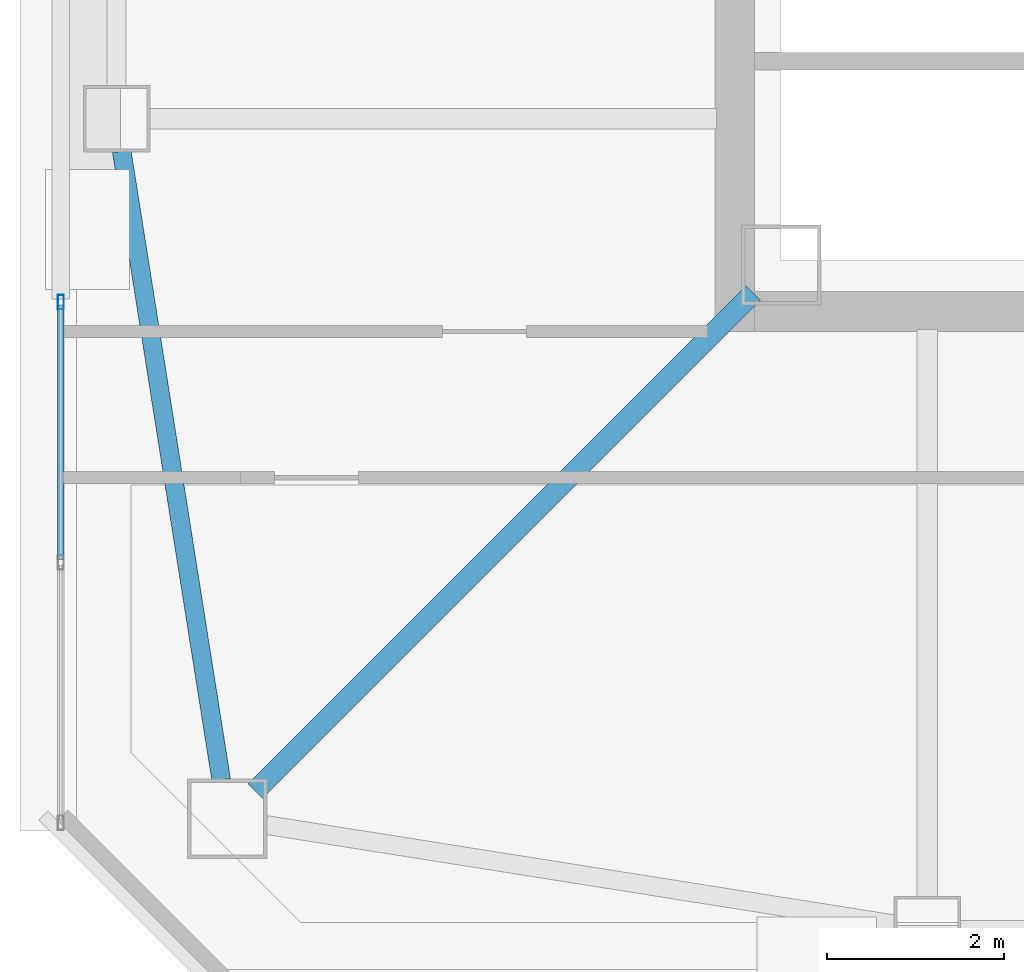
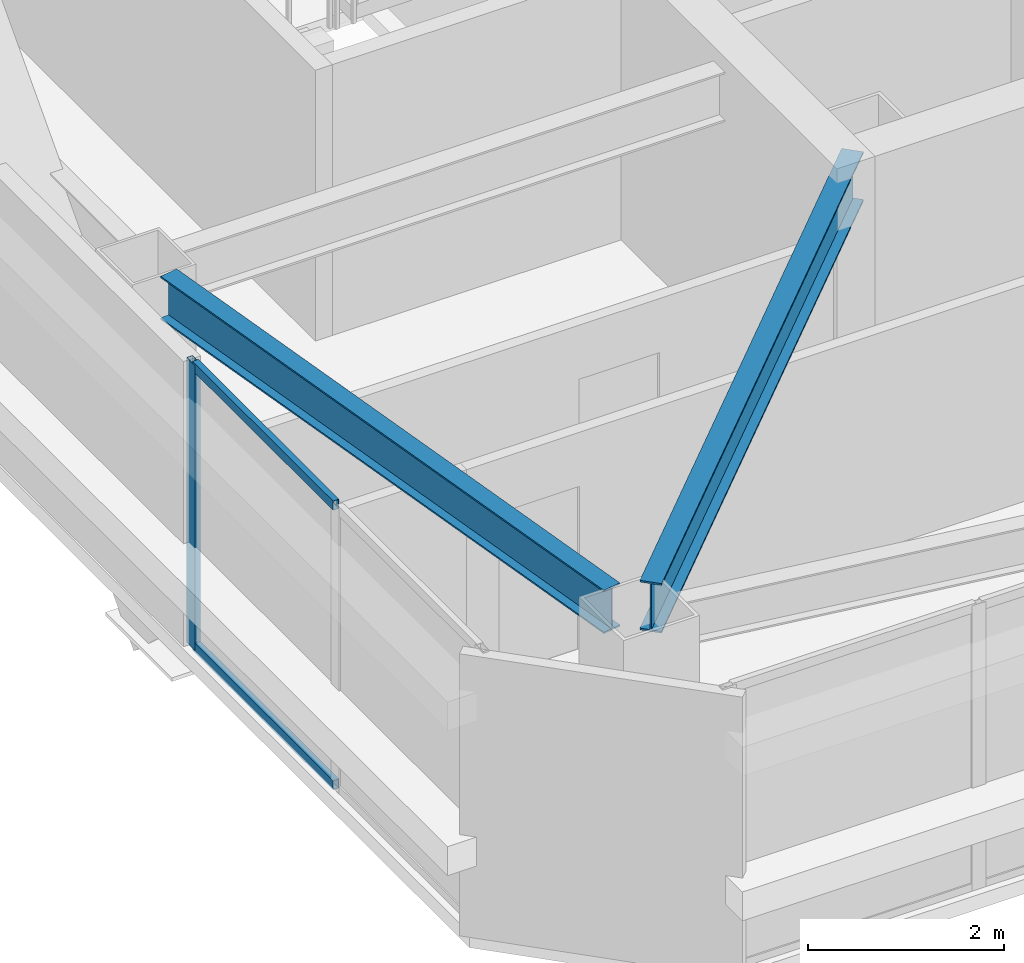
# One storey, part 4 of 24: 3 members, 2 beams, 1 element without a shape of its own.
"""IFC4 building model written with IfcOpenShell, lengths in metres."""

from ifc_helpers import new_model, si_unit, direction, frame, origin, origin_2d, place, context, subcontext, project, spatial, hollow_rectangle, i_section, extrude, material, material_profile, profile_set, type_object, element, aggregate, save


model = new_model("IFC4")

# Units and contexts
model_context = context("Model", 3, precision=1e-05, world=origin(), true_north=direction((0.0, 1.0)))
body_context = subcontext(model_context, "Body", "Model", "MODEL_VIEW")
ifc_project = project(units=[si_unit("LENGTHUNIT", "METRE"), si_unit("AREAUNIT", "SQUARE_METRE"), si_unit("VOLUMEUNIT", "CUBIC_METRE"), si_unit("PLANEANGLEUNIT", "RADIAN"), si_unit("MASSUNIT", "GRAM", prefix="KILO")], contexts=[model_context])

# Site, building, storey
site_placement = place(None, origin())
site = spatial("IfcSite", under=ifc_project, at=site_placement, CompositionType="ELEMENT")
building_placement = place(site_placement, origin())
building = spatial("IfcBuilding", under=site, at=building_placement, Name="Tashvorn Skyway Center", CompositionType="ELEMENT")
storey_placement = place(building_placement, frame((0.0, 0.0, 270.5)))
storey = spatial("IfcBuildingStorey", under=building, at=storey_placement, Name="L73", CompositionType="ELEMENT", Elevation=270.5)

# Beams
ifc_material_1 = material(Name="Steel ASTM A992 Grade 50", Category="steel")
ifc_material_profile_1 = material_profile(ifc_material_1, i_section(OverallWidth=0.22998046875, OverallDepth=0.616943359375, WebThickness=0.01318359375, FlangeThickness=0.022216796875, at=origin_2d()), Name="W24X94")
ifc_profile_set_1 = profile_set([ifc_material_profile_1], Name="Steel ASTM A992 Grade 50")
beam_type_1 = type_object("IfcBeamType", Name="BM-BEAM-W24X94", PredefinedType="BEAM", material=ifc_profile_set_1)
beam_1_placement = place(storey_placement, frame((29.0146484375, 19.0146484375, 3.0615234375), z_axis=(0.707106781187, 0.707106781187, 0.0), x_axis=(-0.707106781187, 0.707106781187, 0.0)))
element("IfcBeam", 1, at=beam_1_placement, inside=storey, type_object=beam_type_1, Name="Tower 1 L73 Primary Floor Girder MC-SW", PredefinedType="BEAM", context=body_context, shape_type="SweptSolid", body=[
    extrude(i_section(OverallWidth=0.22998046875, OverallDepth=0.616943359375, WebThickness=0.01318359375, FlangeThickness=0.022216796875, at=origin_2d()), origin(), (0.0, 0.0, 1.0), 7.94873046875),
])
ifc_material_profile_2 = material_profile(ifc_material_1, i_section(OverallWidth=0.2109375, OverallDepth=0.5390625, WebThickness=0.01171875, FlangeThickness=0.018798828125, at=origin_2d()), Name="W21X73")
ifc_profile_set_2 = profile_set([ifc_material_profile_2], Name="Steel ASTM A992 Grade 50")
beam_type_2 = type_object("IfcBeamType", Name="BM-SPANDREL-W21X73", PredefinedType="SPANDREL", material=ifc_profile_set_2)
beam_2_placement = place(storey_placement, frame((27.5078125, 26.234619140625, 3.1005859375), z_axis=(0.156274976, -0.987713587978, 0.0), x_axis=(0.987713587978, 0.156274976, 0.0)))
element("IfcBeam", 2, at=beam_2_placement, inside=storey, type_object=beam_type_2, Name="Tower 1 L73 Spandrel Beam 12", PredefinedType="SPANDREL", context=body_context, shape_type="SweptSolid", body=[
    extrude(i_section(OverallWidth=0.2109375, OverallDepth=0.5390625, WebThickness=0.01171875, FlangeThickness=0.018798828125, at=origin_2d()), origin(), (0.0, 0.0, 1.0), 7.18310546875),
])

# Curtain wall, members
ifc_material_2 = material(Name="Thermally broken bronze-anodized aluminium 6063-T6", Category="aluminium")
curtain_wall_type = type_object("IfcCurtainWallType", Name="CW-CW-Z5", PredefinedType="NOTDEFINED", material=ifc_material_2)
curtain_wall_placement = place(storey_placement, origin())
curtain_wall = element("IfcCurtainWall", 3, at=curtain_wall_placement, inside=storey, type_object=curtain_wall_type, Name="Tower 1 L73 West Unitised Curtain Wall Glazing Group 1", PredefinedType="NOTDEFINED")
ifc_material_profile_3 = material_profile(ifc_material_2, hollow_rectangle(XDim=0.070068359375, YDim=0.1650390625, WallThickness=0.00390625, at=origin_2d()), Name="ALU-MULL-70x165")
ifc_profile_set_3 = profile_set([ifc_material_profile_3], Name="Thermally broken bronze-anodized aluminium 6063-T6")
member_type_1 = type_object("IfcMemberType", Name="CWM-CW-Z5", PredefinedType="MULLION", material=ifc_profile_set_3)
member_1_placement = place(storey_placement, frame((26.820068359375, 24.53173828125, 0.0), z_axis=(0.0, 0.0, 1.0), x_axis=(-1.0, 0.0, 0.0)))
member_1 = element("IfcMember", 4, at=member_1_placement, type_object=member_type_1, Name="CW-Z5 mullion 3", PredefinedType="MULLION", context=body_context, shape_type="SweptSolid", body=[
    extrude(hollow_rectangle(XDim=0.070068359375, YDim=0.1650390625, WallThickness=0.00390625, at=origin_2d()), origin(), (0.0, 0.0, 1.0), 3.550048828125),
])
ifc_material_profile_4 = material_profile(ifc_material_2, hollow_rectangle(XDim=0.070068359375, YDim=0.114990234375, WallThickness=0.00390625, at=origin_2d()), Name="ALU-TRAN-70x115")
ifc_profile_set_4 = profile_set([ifc_material_profile_4], Name="Thermally broken bronze-anodized aluminium 6063-T6")
member_type_2 = type_object("IfcMemberType", Name="CWT-CW-Z5", PredefinedType="USERDEFINED", material=ifc_profile_set_4)
member_2_placement = place(storey_placement, frame((26.820068359375, 21.62841796875, 0.034912109375), z_axis=(0.0, 1.0, 0.0), x_axis=(-1.0, 0.0, 0.0)))
member_2 = element("IfcMember", 5, at=member_2_placement, type_object=member_type_2, Name="CW-Z5 transom 2.1", ObjectType="TRANSOM", PredefinedType="USERDEFINED", context=body_context, shape_type="SweptSolid", body=[
    extrude(hollow_rectangle(XDim=0.070068359375, YDim=0.114990234375, WallThickness=0.00390625, at=origin_2d()), origin(), (0.0, 0.0, 1.0), 2.8681640625),
])
member_3_placement = place(storey_placement, frame((26.820068359375, 21.62841796875, 3.514892578125), z_axis=(0.0, 1.0, 0.0), x_axis=(-1.0, 0.0, 0.0)))
member_3 = element("IfcMember", 6, at=member_3_placement, type_object=member_type_2, Name="CW-Z5 transom 2.2", ObjectType="TRANSOM", PredefinedType="USERDEFINED", context=body_context, shape_type="SweptSolid", body=[
    extrude(hollow_rectangle(XDim=0.070068359375, YDim=0.114990234375, WallThickness=0.00390625, at=origin_2d()), origin(), (0.0, 0.0, 1.0), 2.8681640625),
])
aggregate(curtain_wall, [member_1, member_2, member_3])

save(model, "model.ifc")
